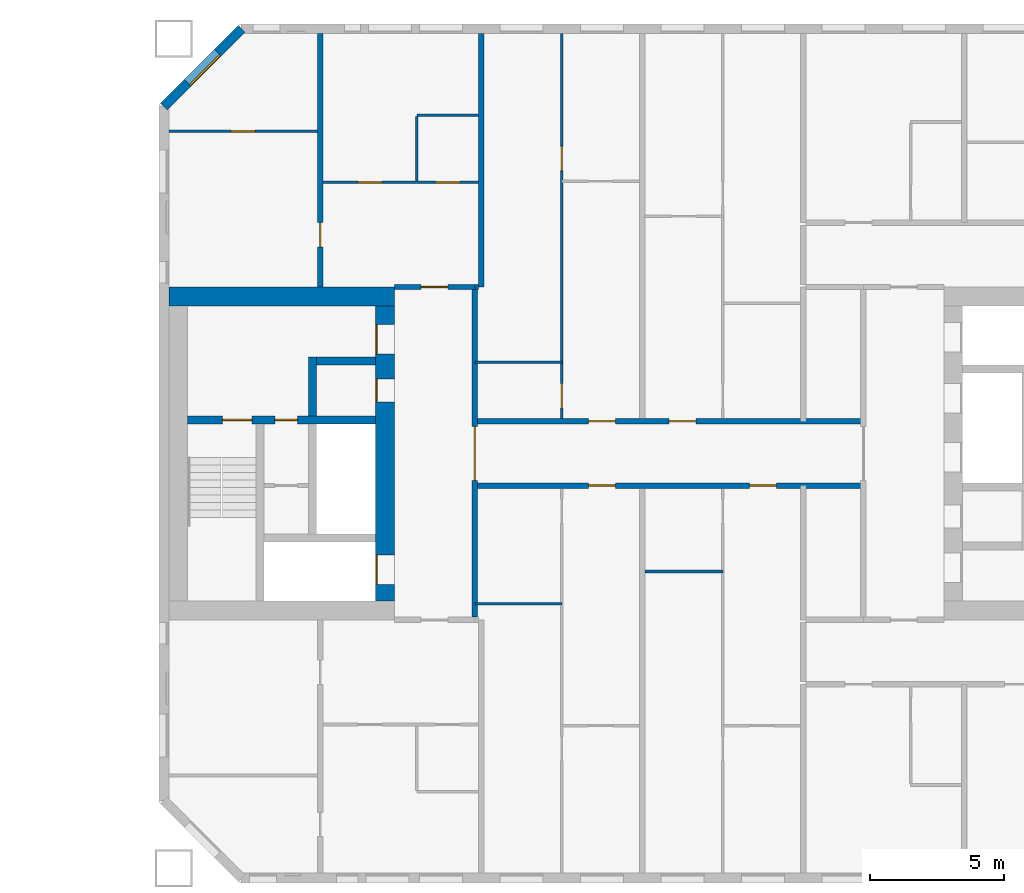
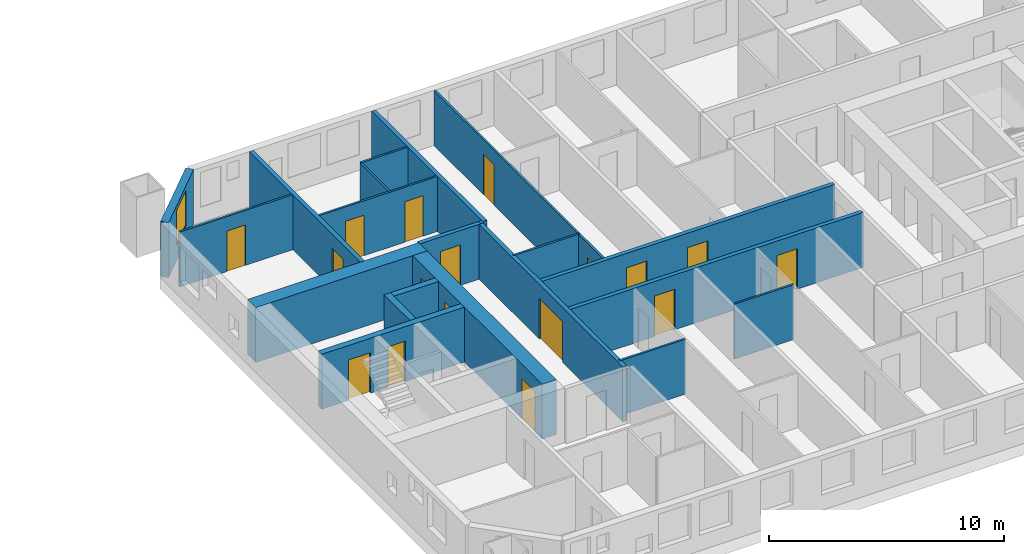
# One storey, part 10 of 17: 21 walls, 17 doors, 1 window, 18 openings.
"""IFC4 building model written with IfcOpenShell, lengths in metres."""

from ifc_helpers import new_model, si_unit, direction, frame, frame_2d, origin, place, context, subcontext, project, spatial, rectangle, extrude, material, layer, layer_set, type_object, element, fill, save


model = new_model("IFC4")

# Units and contexts
model_context = context("Model", 3, precision=1e-05, world=origin(), true_north=direction((0.0, 1.0)))
body_context = subcontext(model_context, "Body", "Model", "MODEL_VIEW")
ifc_project = project(units=[si_unit("LENGTHUNIT", "METRE"), si_unit("AREAUNIT", "SQUARE_METRE"), si_unit("VOLUMEUNIT", "CUBIC_METRE"), si_unit("PLANEANGLEUNIT", "RADIAN"), si_unit("MASSUNIT", "GRAM", prefix="KILO")], contexts=[model_context])

# Site, building, storey
site_placement = place(None, origin())
site = spatial("IfcSite", under=ifc_project, at=site_placement, CompositionType="ELEMENT")
building_placement = place(site_placement, origin())
building = spatial("IfcBuilding", under=site, at=building_placement, Name="Tuart Gate Housing", CompositionType="ELEMENT")
storey_placement = place(building_placement, frame((0.0, 0.0, 71.60009765625)))
storey = spatial("IfcBuildingStorey", under=building, at=storey_placement, Name="L19", CompositionType="ELEMENT", Elevation=71.60009765625)

# Wall, opening, window
ifc_material_1 = material(Name="Brick", Category="masonry")
ifc_layer_1 = layer(ifc_material_1, 0.360107421875)
ifc_layer_set_1 = layer_set([ifc_layer_1], Name="Brick pier and spandrel wall 360")
wall_type_1 = type_object("IfcWallType", Name="Brick pier and spandrel wall 360", PredefinedType="STANDARD", material=ifc_layer_set_1)
wall_1_placement = place(storey_placement, frame((134.07470703125, 85.820068359375, 0.0), z_axis=(0.0, 0.0, 1.0), x_axis=(-0.707106781187, -0.707106781187, 0.0)))
wall_1 = element("IfcWall", 1, at=wall_1_placement, inside=storey, type_object=wall_type_1, Name="External wall B-NW L19", PredefinedType="STANDARD", context=body_context, shape_type="SweptSolid", body=[
    extrude(rectangle(XDim=4.09375, YDim=0.360107421875, at=frame_2d((2.046875, 0.0))), origin(), (0.0, 0.0, 1.0), 2.849853515625),
])
opening_1_placement = place(wall_1_placement, frame((1.2470703125, 0.0, 0.800048828125)))
opening_1 = element("IfcOpeningElement", 2, at=opening_1_placement, cuts=wall_1, Name="Opening W1", PredefinedType="OPENING", context=body_context, shape_type="SweptSolid", body=[
    extrude(rectangle(XDim=1.60009765625, YDim=1.800048828125, at=frame_2d((0.800048828125, 0.89990234375))), frame((0.0, 0.18994140625, 0.0), z_axis=(0.0, -1.0, 0.0), x_axis=(1.0, 0.0, 0.0)), (0.0, 0.0, 1.0), 0.380126953125),
])
ifc_material_2 = material(Name="Aluminium frame with clear glass", Category="aluminium")
window_type = type_object("IfcWindowType", Name="Punched window 1600 x 1800", PartitioningType="SINGLE_PANEL", PredefinedType="WINDOW", material=ifc_material_2)
window_placement = place(opening_1_placement, origin())
window = element("IfcWindow", 3, at=window_placement, inside=storey, type_object=window_type, Name="Window W1", OverallHeight=1.800048828125, OverallWidth=1.60009765625, PartitioningType="SINGLE_PANEL", PredefinedType="WINDOW", context=body_context, shape_type="SweptSolid", body=[
    extrude(rectangle(XDim=1.60009765625, YDim=1.800048828125, at=frame_2d((0.800048828125, 0.89990234375))), frame((0.0, 0.150146484375, 0.0), z_axis=(0.0, -1.0, 0.0), x_axis=(1.0, 0.0, 0.0)), (0.0, 0.0, 1.0), 0.06005859375),
])
fill(opening_1, window)

# Wall, openings, doors
ifc_material_3 = material(Name="Concrete C50", Category="concrete")
ifc_layer_2 = layer(ifc_material_3, 0.300048828125)
ifc_layer_set_2 = layer_set([ifc_layer_2], Name="Core wall 300 C50")
wall_type_2 = type_object("IfcWallType", Name="Core wall 300 C50", PredefinedType="SHEAR", material=ifc_layer_set_2)
wall_2_placement = place(storey_placement, frame((139.06005859375, 71.25, 0.0), z_axis=(0.0, 0.0, 1.0), x_axis=(-1.0, 0.0, 0.0)))
wall_2 = element("IfcWall", 4, at=wall_2_placement, inside=storey, type_object=wall_type_2, Name="Core wall BG.3", PredefinedType="SHEAR", context=body_context, shape_type="SweptSolid", body=[
    extrude(rectangle(XDim=7.0, YDim=0.300048828125, at=frame_2d((3.5, 0.0))), origin(), (0.0, 0.0, 1.0), 2.849853515625),
])
opening_2_placement = place(wall_2_placement, frame((4.60009765625, 0.0, 0.0)))
opening_2 = element("IfcOpeningElement", 5, at=opening_2_placement, cuts=wall_2, Name="Opening D916", PredefinedType="OPENING", context=body_context, shape_type="SweptSolid", body=[
    extrude(rectangle(XDim=1.10009765625, YDim=2.10009765625, at=frame_2d((0.550048828125, 1.050048828125))), frame((0.0, 0.159912109375, 0.0), z_axis=(0.0, -1.0, 0.0), x_axis=(1.0, 0.0, 0.0)), (0.0, 0.0, 1.0), 0.320068359375),
])
opening_3_placement = place(wall_2_placement, frame((2.89990234375, 0.0, 0.0)))
opening_3 = element("IfcOpeningElement", 6, at=opening_3_placement, cuts=wall_2, Name="Opening D915", PredefinedType="OPENING", context=body_context, shape_type="SweptSolid", body=[
    extrude(rectangle(XDim=0.85009765625, YDim=2.10009765625, at=frame_2d((0.425048828125, 1.050048828125))), frame((0.0, 0.159912109375, 0.0), z_axis=(0.0, -1.0, 0.0), x_axis=(1.0, 0.0, 0.0)), (0.0, 0.0, 1.0), 0.320068359375),
])
ifc_material_4 = material(Name="Steel fire door", Category="steel")
door_type_1 = type_object("IfcDoorType", Name="Riser door 850 x 2100", OperationType="SINGLE_SWING_LEFT", PredefinedType="DOOR", material=ifc_material_4)
door_1_placement = place(opening_3_placement, origin())
door_1 = element("IfcDoor", 7, at=door_1_placement, inside=storey, type_object=door_type_1, Name="Service room door BG.W1", OperationType="SINGLE_SWING_LEFT", OverallHeight=2.10009765625, OverallWidth=0.85009765625, PredefinedType="DOOR", context=body_context, shape_type="SweptSolid", body=[
    extrude(rectangle(XDim=0.85009765625, YDim=2.10009765625, at=frame_2d((0.425048828125, 1.050048828125))), frame((0.0, 0.02490234375, 0.0), z_axis=(0.0, -1.0, 0.0), x_axis=(1.0, 0.0, 0.0)), (0.0, 0.0, 1.0), 0.050048828125),
])
fill(opening_3, door_1)
ifc_material_5 = material(Name="Steel fire door", Category="steel")
door_type_2 = type_object("IfcDoorType", Name="Stair door 1100 x 2100", OperationType="SINGLE_SWING_LEFT", PredefinedType="DOOR", material=ifc_material_5)
door_2_placement = place(opening_2_placement, origin())
door_2 = element("IfcDoor", 8, at=door_2_placement, inside=storey, type_object=door_type_2, Name="Stair door BG.SD", OperationType="SINGLE_SWING_LEFT", OverallHeight=2.10009765625, OverallWidth=1.10009765625, PredefinedType="DOOR", context=body_context, shape_type="SweptSolid", body=[
    extrude(rectangle(XDim=1.10009765625, YDim=2.10009765625, at=frame_2d((0.550048828125, 1.050048828125))), frame((0.0, 0.02490234375, 0.0), z_axis=(0.0, -1.0, 0.0), x_axis=(1.0, 0.0, 0.0)), (0.0, 0.0, 1.0), 0.050048828125),
])
fill(opening_2, door_2)

# Walls
wall_3_placement = place(storey_placement, frame((139.06005859375, 73.449951171875, 0.0), z_axis=(0.0, 0.0, 1.0), x_axis=(-1.0, 0.0, 0.0)))
element("IfcWall", 9, at=wall_3_placement, inside=storey, type_object=wall_type_2, Name="Core wall BG.4", PredefinedType="SHEAR", context=body_context, shape_type="SweptSolid", body=[
    extrude(rectangle(XDim=2.199951171875, YDim=0.300048828125, at=frame_2d((1.10009765625, 0.0))), origin(), (0.0, 0.0, 1.0), 2.849853515625),
])
wall_4_placement = place(storey_placement, frame((136.7099609375, 71.39990234375, 0.0), z_axis=(0.0, 0.0, 1.0), x_axis=(0.0, 1.0, 0.0)))
element("IfcWall", 10, at=wall_4_placement, inside=storey, type_object=wall_type_2, Name="Core wall BG.6", PredefinedType="SHEAR", context=body_context, shape_type="SweptSolid", body=[
    extrude(rectangle(XDim=2.2001953125, YDim=0.300048828125, at=frame_2d((1.10009765625, 0.0))), origin(), (0.0, 0.0, 1.0), 2.849853515625),
])

# Wall, openings, doors
ifc_material_6 = material(Name="Concrete C50", Category="concrete")
ifc_layer_3 = layer(ifc_material_6, 0.699951171875)
ifc_layer_set_3 = layer_set([ifc_layer_3], Name="Core wall 700 C50")
wall_type_3 = type_object("IfcWallType", Name="Core wall 700 C50", PredefinedType="SHEAR", material=ifc_layer_set_3)
wall_5_placement = place(storey_placement, frame((139.409912109375, 64.5, 0.0), z_axis=(0.0, 0.0, 1.0), x_axis=(0.0, 1.0, 0.0)))
wall_5 = element("IfcWall", 11, at=wall_5_placement, inside=storey, type_object=wall_type_3, Name="Core wall BG front", PredefinedType="SHEAR", context=body_context, shape_type="SweptSolid", body=[
    extrude(rectangle(XDim=11.0, YDim=0.699951171875, at=frame_2d((5.5, 0.0))), origin(), (0.0, 0.0, 1.0), 2.849853515625),
])
opening_4_placement = place(wall_5_placement, frame((0.625, 0.0, 0.0)))
opening_4 = element("IfcOpeningElement", 12, at=opening_4_placement, cuts=wall_5, Name="Opening LD-FB1", PredefinedType="OPENING", context=body_context, shape_type="SweptSolid", body=[
    extrude(rectangle(XDim=1.10009765625, YDim=2.10009765625, at=frame_2d((0.550048828125, 1.050048828125))), frame((0.0, 0.35986328125, 0.0), z_axis=(0.0, -1.0, 0.0), x_axis=(1.0, 0.0, 0.0)), (0.0, 0.0, 1.0), 0.719970703125),
])
opening_5_placement = place(wall_5_placement, frame((9.199951171875, 0.0, 0.0)))
opening_5 = element("IfcOpeningElement", 13, at=opening_5_placement, cuts=wall_5, Name="Opening D919", PredefinedType="OPENING", context=body_context, shape_type="SweptSolid", body=[
    extrude(rectangle(XDim=1.10009765625, YDim=2.10009765625, at=frame_2d((0.550048828125, 1.050048828125))), frame((0.0, 0.35986328125, 0.0), z_axis=(0.0, -1.0, 0.0), x_axis=(1.0, 0.0, 0.0)), (0.0, 0.0, 1.0), 0.719970703125),
])
opening_6_placement = place(wall_5_placement, frame((7.425048828125, 0.0, 0.0)))
opening_6 = element("IfcOpeningElement", 14, at=opening_6_placement, cuts=wall_5, Name="Opening D920", PredefinedType="OPENING", context=body_context, shape_type="SweptSolid", body=[
    extrude(rectangle(XDim=0.85009765625, YDim=2.10009765625, at=frame_2d((0.425048828125, 1.050048828125))), frame((0.0, 0.35986328125, 0.0), z_axis=(0.0, -1.0, 0.0), x_axis=(1.0, 0.0, 0.0)), (0.0, 0.0, 1.0), 0.719970703125),
])
ifc_material_7 = material(Name="Stainless steel", Category="steel")
door_type_3 = type_object("IfcDoorType", Name="Landing door 1100 x 2100", OperationType="DOUBLE_DOOR_SLIDING", PredefinedType="DOOR", material=ifc_material_7)
door_3_placement = place(opening_4_placement, origin())
door_3 = element("IfcDoor", 15, at=door_3_placement, inside=storey, type_object=door_type_3, Name="Lift landing door FB1", OperationType="DOUBLE_DOOR_SLIDING", OverallHeight=2.10009765625, OverallWidth=1.10009765625, PredefinedType="DOOR", context=body_context, shape_type="SweptSolid", body=[
    extrude(rectangle(XDim=1.10009765625, YDim=2.10009765625, at=frame_2d((0.550048828125, 1.050048828125))), frame((0.0, 0.3349609375, 0.0), z_axis=(0.0, -1.0, 0.0), x_axis=(1.0, 0.0, 0.0)), (0.0, 0.0, 1.0), 0.050048828125),
])
fill(opening_4, door_3)
ifc_material_8 = material(Name="Steel fire door", Category="steel")
door_type_4 = type_object("IfcDoorType", Name="Lobby door 1100 x 2100", OperationType="SINGLE_SWING_LEFT", PredefinedType="DOOR", material=ifc_material_8)
door_4_placement = place(opening_5_placement, origin())
door_4 = element("IfcDoor", 16, at=door_4_placement, inside=storey, type_object=door_type_4, Name="Lobby entry door BG.EN", OperationType="SINGLE_SWING_LEFT", OverallHeight=2.10009765625, OverallWidth=1.10009765625, PredefinedType="DOOR", context=body_context, shape_type="SweptSolid", body=[
    extrude(rectangle(XDim=1.10009765625, YDim=2.10009765625, at=frame_2d((0.550048828125, 1.050048828125))), frame((0.0, 0.3349609375, 0.0), z_axis=(0.0, -1.0, 0.0), x_axis=(1.0, 0.0, 0.0)), (0.0, 0.0, 1.0), 0.050048828125),
])
fill(opening_5, door_4)
ifc_material_9 = material(Name="Steel fire door", Category="steel")
door_type_5 = type_object("IfcDoorType", Name="Service door 850 x 2100", OperationType="SINGLE_SWING_LEFT", PredefinedType="DOOR", material=ifc_material_9)
door_5_placement = place(opening_6_placement, origin())
door_5 = element("IfcDoor", 17, at=door_5_placement, inside=storey, type_object=door_type_5, Name="Service room door BG.T1", OperationType="SINGLE_SWING_LEFT", OverallHeight=2.10009765625, OverallWidth=0.85009765625, PredefinedType="DOOR", context=body_context, shape_type="SweptSolid", body=[
    extrude(rectangle(XDim=0.85009765625, YDim=2.10009765625, at=frame_2d((0.425048828125, 1.050048828125))), frame((0.0, 0.3349609375, 0.0), z_axis=(0.0, -1.0, 0.0), x_axis=(1.0, 0.0, 0.0)), (0.0, 0.0, 1.0), 0.050048828125),
])
fill(opening_6, door_5)

# Wall
wall_6_placement = place(storey_placement, frame((139.760009765625, 75.85009765625, 0.0), z_axis=(0.0, 0.0, 1.0), x_axis=(-1.0, 0.0, 0.0)))
element("IfcWall", 18, at=wall_6_placement, inside=storey, type_object=wall_type_3, Name="Core wall BG north", PredefinedType="SHEAR", context=body_context, shape_type="SweptSolid", body=[
    extrude(rectangle(XDim=8.39990234375, YDim=0.699951171875, at=frame_2d((4.199951171875, 0.0))), origin(), (0.0, 0.0, 1.0), 2.849853515625),
])

# Wall, openings, doors
ifc_material_10 = material(Name="Concrete masonry 15 MPa", Category="masonry")
ifc_layer_4 = layer(ifc_material_10, 0.199951171875)
ifc_layer_set_4 = layer_set([ifc_layer_4], Name="Corridor wall masonry 200")
wall_type_4 = type_object("IfcWallType", Name="Corridor wall masonry 200", PredefinedType="PARTITIONING", material=ifc_layer_set_4)
wall_7_placement = place(storey_placement, frame((142.760009765625, 68.800048828125, 0.0), z_axis=(0.0, 0.0, 1.0), x_axis=(1.0, 0.0, 0.0)))
wall_7 = element("IfcWall", 19, at=wall_7_placement, inside=storey, type_object=wall_type_4, Name="Corridor wall masonry 200", PredefinedType="PARTITIONING", context=body_context, shape_type="SweptSolid", body=[
    extrude(rectangle(XDim=14.47998046875, YDim=0.199951171875, at=frame_2d((7.239990234375, 0.0))), origin(), (0.0, 0.0, 1.0), 2.849853515625),
])
opening_7_placement = place(wall_7_placement, frame((4.239990234375, 0.0, 0.0)))
opening_7 = element("IfcOpeningElement", 20, at=opening_7_placement, cuts=wall_7, Name="Opening D928", PredefinedType="OPENING", context=body_context, shape_type="SweptSolid", body=[
    extrude(rectangle(XDim=1.0, YDim=2.10009765625, at=frame_2d((0.5, 1.050048828125))), frame((0.0, 0.10986328125, 0.0), z_axis=(0.0, -1.0, 0.0), x_axis=(1.0, 0.0, 0.0)), (0.0, 0.0, 1.0), 0.219970703125),
])
opening_8_placement = place(wall_7_placement, frame((10.239990234375, 0.0, 0.0)))
opening_8 = element("IfcOpeningElement", 21, at=opening_8_placement, cuts=wall_7, Name="Opening D929", PredefinedType="OPENING", context=body_context, shape_type="SweptSolid", body=[
    extrude(rectangle(XDim=1.0, YDim=2.10009765625, at=frame_2d((0.5, 1.050048828125))), frame((0.0, 0.10986328125, 0.0), z_axis=(0.0, -1.0, 0.0), x_axis=(1.0, 0.0, 0.0)), (0.0, 0.0, 1.0), 0.219970703125),
])
ifc_material_11 = material(Name="Timber door leaf in steel frame", Category="steel")
door_type_6 = type_object("IfcDoorType", Name="Flat entrance door 1000 RH", OperationType="SINGLE_SWING_RIGHT", PredefinedType="DOOR", material=ifc_material_11)
door_6_placement = place(opening_7_placement, frame((1.0, 0.0, 0.0), z_axis=(0.0, 0.0, 1.0), x_axis=(-1.0, 0.0, 0.0)))
door_6 = element("IfcDoor", 22, at=door_6_placement, inside=storey, type_object=door_type_6, Name="Flat entrance door", OperationType="SINGLE_SWING_RIGHT", OverallHeight=2.10009765625, OverallWidth=1.0, PredefinedType="DOOR", context=body_context, shape_type="SweptSolid", body=[
    extrude(rectangle(XDim=1.0, YDim=2.10009765625, at=frame_2d((0.5, 1.050048828125))), frame((0.0, 0.025146484375, 0.0), z_axis=(0.0, -1.0, 0.0), x_axis=(1.0, 0.0, 0.0)), (0.0, 0.0, 1.0), 0.050048828125),
])
fill(opening_7, door_6)
door_7_placement = place(opening_8_placement, frame((1.0, 0.0, 0.0), z_axis=(0.0, 0.0, 1.0), x_axis=(-1.0, 0.0, 0.0)))
door_7 = element("IfcDoor", 23, at=door_7_placement, inside=storey, type_object=door_type_6, Name="Flat entrance door", OperationType="SINGLE_SWING_RIGHT", OverallHeight=2.10009765625, OverallWidth=1.0, PredefinedType="DOOR", context=body_context, shape_type="SweptSolid", body=[
    extrude(rectangle(XDim=1.0, YDim=2.10009765625, at=frame_2d((0.5, 1.050048828125))), frame((0.0, 0.025146484375, 0.0), z_axis=(0.0, -1.0, 0.0), x_axis=(1.0, 0.0, 0.0)), (0.0, 0.0, 1.0), 0.050048828125),
])
fill(opening_8, door_7)

wall_8_placement = place(storey_placement, frame((142.760009765625, 71.199951171875, 0.0), z_axis=(0.0, 0.0, 1.0), x_axis=(1.0, 0.0, 0.0)))
wall_8 = element("IfcWall", 24, at=wall_8_placement, inside=storey, type_object=wall_type_4, Name="Corridor wall masonry 200", PredefinedType="PARTITIONING", context=body_context, shape_type="SweptSolid", body=[
    extrude(rectangle(XDim=14.47998046875, YDim=0.199951171875, at=frame_2d((7.239990234375, 0.0))), origin(), (0.0, 0.0, 1.0), 2.849853515625),
])
opening_9_placement = place(wall_8_placement, frame((4.239990234375, 0.0, 0.0)))
opening_9 = element("IfcOpeningElement", 25, at=opening_9_placement, cuts=wall_8, Name="Opening D917", PredefinedType="OPENING", context=body_context, shape_type="SweptSolid", body=[
    extrude(rectangle(XDim=1.0, YDim=2.10009765625, at=frame_2d((0.5, 1.050048828125))), frame((0.0, 0.10986328125, 0.0), z_axis=(0.0, -1.0, 0.0), x_axis=(1.0, 0.0, 0.0)), (0.0, 0.0, 1.0), 0.219970703125),
])
opening_10_placement = place(wall_8_placement, frame((7.239990234375, 0.0, 0.0)))
opening_10 = element("IfcOpeningElement", 26, at=opening_10_placement, cuts=wall_8, Name="Opening D918", PredefinedType="OPENING", context=body_context, shape_type="SweptSolid", body=[
    extrude(rectangle(XDim=1.0, YDim=2.10009765625, at=frame_2d((0.5, 1.050048828125))), frame((0.0, 0.10986328125, 0.0), z_axis=(0.0, -1.0, 0.0), x_axis=(1.0, 0.0, 0.0)), (0.0, 0.0, 1.0), 0.219970703125),
])
ifc_material_12 = material(Name="Timber door leaf in steel frame", Category="steel")
door_type_7 = type_object("IfcDoorType", Name="Flat entrance door 1000", OperationType="SINGLE_SWING_LEFT", PredefinedType="DOOR", material=ifc_material_12)
door_8_placement = place(opening_9_placement, origin())
door_8 = element("IfcDoor", 27, at=door_8_placement, inside=storey, type_object=door_type_7, Name="Flat entrance door", OperationType="SINGLE_SWING_LEFT", OverallHeight=2.10009765625, OverallWidth=1.0, PredefinedType="DOOR", context=body_context, shape_type="SweptSolid", body=[
    extrude(rectangle(XDim=1.0, YDim=2.10009765625, at=frame_2d((0.5, 1.050048828125))), frame((0.0, 0.02490234375, 0.0), z_axis=(0.0, -1.0, 0.0), x_axis=(1.0, 0.0, 0.0)), (0.0, 0.0, 1.0), 0.050048828125),
])
fill(opening_9, door_8)
door_9_placement = place(opening_10_placement, origin())
door_9 = element("IfcDoor", 28, at=door_9_placement, inside=storey, type_object=door_type_7, Name="Flat entrance door", OperationType="SINGLE_SWING_LEFT", OverallHeight=2.10009765625, OverallWidth=1.0, PredefinedType="DOOR", context=body_context, shape_type="SweptSolid", body=[
    extrude(rectangle(XDim=1.0, YDim=2.10009765625, at=frame_2d((0.5, 1.050048828125))), frame((0.0, 0.02490234375, 0.0), z_axis=(0.0, -1.0, 0.0), x_axis=(1.0, 0.0, 0.0)), (0.0, 0.0, 1.0), 0.050048828125),
])
fill(opening_10, door_9)

# Wall, opening, door
ifc_material_13 = material(Name="Concrete masonry 15 MPa", Category="masonry")
ifc_layer_5 = layer(ifc_material_13, 0.199951171875)
ifc_layer_set_5 = layer_set([ifc_layer_5], Name="Enclosure wall masonry 200")
wall_type_5 = type_object("IfcWallType", Name="Enclosure wall masonry 200", PredefinedType="PARTITIONING", material=ifc_layer_set_5)
wall_9_placement = place(storey_placement, frame((139.760009765625, 76.199951171875, 0.0), z_axis=(0.0, 0.0, 1.0), x_axis=(1.0, 0.0, 0.0)))
wall_9 = element("IfcWall", 29, at=wall_9_placement, inside=storey, type_object=wall_type_5, Name="Enclosure wall masonry 200", PredefinedType="PARTITIONING", context=body_context, shape_type="SweptSolid", body=[
    extrude(rectangle(XDim=3.0, YDim=0.199951171875, at=frame_2d((1.5, 0.0))), origin(), (0.0, 0.0, 1.0), 2.849853515625),
])
opening_11_placement = place(wall_9_placement, frame((1.0, 0.0, 0.0)))
opening_11 = element("IfcOpeningElement", 30, at=opening_11_placement, cuts=wall_9, Name="Opening D913", PredefinedType="OPENING", context=body_context, shape_type="SweptSolid", body=[
    extrude(rectangle(XDim=1.0, YDim=2.10009765625, at=frame_2d((0.5, 1.050048828125))), frame((0.0, 0.10986328125, 0.0), z_axis=(0.0, -1.0, 0.0), x_axis=(1.0, 0.0, 0.0)), (0.0, 0.0, 1.0), 0.219970703125),
])
door_10_placement = place(opening_11_placement, origin())
door_10 = element("IfcDoor", 31, at=door_10_placement, inside=storey, type_object=door_type_6, Name="Flat entrance door", OperationType="SINGLE_SWING_RIGHT", OverallHeight=2.10009765625, OverallWidth=1.0, PredefinedType="DOOR", context=body_context, shape_type="SweptSolid", body=[
    extrude(rectangle(XDim=1.0, YDim=2.10009765625, at=frame_2d((0.5, 1.050048828125))), frame((0.0, 0.02490234375, 0.0), z_axis=(0.0, -1.0, 0.0), x_axis=(1.0, 0.0, 0.0)), (0.0, 0.0, 1.0), 0.050048828125),
])
fill(opening_11, door_10)

ifc_material_14 = material(Name="Plasterboard partition")
ifc_layer_6 = layer(ifc_material_14, 0.199951171875)
ifc_layer_set_6 = layer_set([ifc_layer_6], Name="Lobby wall 200")
wall_type_6 = type_object("IfcWallType", Name="Lobby wall 200", PredefinedType="PARTITIONING", material=ifc_layer_set_6)
wall_10_placement = place(storey_placement, frame((142.760009765625, 63.89990234375, 0.0), z_axis=(0.0, 0.0, 1.0), x_axis=(0.0, 1.0, 0.0)))
wall_10 = element("IfcWall", 32, at=wall_10_placement, inside=storey, type_object=wall_type_6, Name="Lift lobby wall BG", PredefinedType="PARTITIONING", context=body_context, shape_type="SweptSolid", body=[
    extrude(rectangle(XDim=12.2001953125, YDim=0.199951171875, at=frame_2d((6.10009765625, 0.0))), origin(), (0.0, 0.0, 1.0), 2.849853515625),
])
opening_12_placement = place(wall_10_placement, frame((5.10009765625, 0.0, 0.0)))
opening_12 = element("IfcOpeningElement", 33, at=opening_12_placement, cuts=wall_10, Name="Opening D921", PredefinedType="OPENING", context=body_context, shape_type="SweptSolid", body=[
    extrude(rectangle(XDim=2.0, YDim=2.10009765625, at=frame_2d((1.0, 1.050048828125))), frame((0.0, 0.10986328125, 0.0), z_axis=(0.0, -1.0, 0.0), x_axis=(1.0, 0.0, 0.0)), (0.0, 0.0, 1.0), 0.219970703125),
])
ifc_material_15 = material(Name="Steel fire door", Category="steel")
door_type_8 = type_object("IfcDoorType", Name="Smoke door 2000 x 2100", OperationType="DOUBLE_DOOR_SINGLE_SWING", PredefinedType="DOOR", material=ifc_material_15)
door_11_placement = place(opening_12_placement, origin())
door_11 = element("IfcDoor", 34, at=door_11_placement, inside=storey, type_object=door_type_8, Name="Lift lobby smoke door BG", OperationType="DOUBLE_DOOR_SINGLE_SWING", OverallHeight=2.10009765625, OverallWidth=2.0, PredefinedType="DOOR", context=body_context, shape_type="SweptSolid", body=[
    extrude(rectangle(XDim=2.0, YDim=2.10009765625, at=frame_2d((1.0, 1.050048828125))), frame((0.0, 0.02490234375, 0.0), z_axis=(0.0, -1.0, 0.0), x_axis=(1.0, 0.0, 0.0)), (0.0, 0.0, 1.0), 0.050048828125),
])
fill(opening_12, door_11)

# Walls
ifc_material_16 = material(Name="Gypsum board on steel studs", Category="steel")
ifc_layer_7 = layer(ifc_material_16, 0.10009765625)
ifc_layer_set_7 = layer_set([ifc_layer_7], Name="Partition 100")
wall_type_7 = type_object("IfcWallType", Name="Partition 100", PredefinedType="PARTITIONING", material=ifc_layer_set_7)
wall_11_placement = place(storey_placement, frame((142.760009765625, 64.39990234375, 0.0), z_axis=(0.0, 0.0, 1.0), x_axis=(1.0, 0.0, 0.0)))
element("IfcWall", 35, at=wall_11_placement, inside=storey, type_object=wall_type_7, Name="Partition 100", PredefinedType="PARTITIONING", context=body_context, shape_type="SweptSolid", body=[
    extrude(rectangle(XDim=3.239990234375, YDim=0.10009765625, at=frame_2d((1.6201171875, 0.0))), origin(), (0.0, 0.0, 1.0), 2.849853515625),
])
wall_12_placement = place(storey_placement, frame((149.10009765625, 65.60009765625, 0.0), z_axis=(0.0, 0.0, 1.0), x_axis=(1.0, 0.0, 0.0)))
element("IfcWall", 36, at=wall_12_placement, inside=storey, type_object=wall_type_7, Name="Partition 100", PredefinedType="PARTITIONING", context=body_context, shape_type="SweptSolid", body=[
    extrude(rectangle(XDim=2.89990234375, YDim=0.10009765625, at=frame_2d((1.449951171875, 0.0))), origin(), (0.0, 0.0, 1.0), 2.849853515625),
])
wall_13_placement = place(storey_placement, frame((142.760009765625, 73.39990234375, 0.0), z_axis=(0.0, 0.0, 1.0), x_axis=(1.0, 0.0, 0.0)))
element("IfcWall", 37, at=wall_13_placement, inside=storey, type_object=wall_type_7, Name="Partition 100", PredefinedType="PARTITIONING", context=body_context, shape_type="SweptSolid", body=[
    extrude(rectangle(XDim=3.239990234375, YDim=0.10009765625, at=frame_2d((1.6201171875, 0.0))), origin(), (0.0, 0.0, 1.0), 2.849853515625),
])

# Wall, openings, doors
wall_14_placement = place(storey_placement, frame((137.10009765625, 80.10009765625, 0.0), z_axis=(0.0, 0.0, 1.0), x_axis=(1.0, 0.0, 0.0)))
wall_14 = element("IfcWall", 38, at=wall_14_placement, inside=storey, type_object=wall_type_7, Name="Partition 100", PredefinedType="PARTITIONING", context=body_context, shape_type="SweptSolid", body=[
    extrude(rectangle(XDim=5.7998046875, YDim=0.10009765625, at=frame_2d((2.89990234375, 0.0))), origin(), (0.0, 0.0, 1.0), 2.849853515625),
])
opening_13_placement = place(wall_14_placement, frame((1.300048828125, 0.0, 0.0)))
opening_13 = element("IfcOpeningElement", 39, at=opening_13_placement, cuts=wall_14, Name="Opening D904", PredefinedType="OPENING", context=body_context, shape_type="SweptSolid", body=[
    extrude(rectangle(XDim=0.89990234375, YDim=2.10009765625, at=frame_2d((0.449951171875, 1.050048828125))), frame((0.0, 0.06005859375, 0.0), z_axis=(0.0, -1.0, 0.0), x_axis=(1.0, 0.0, 0.0)), (0.0, 0.0, 1.0), 0.1201171875),
])
opening_14_placement = place(wall_14_placement, frame((4.199951171875, 0.0, 0.0)))
opening_14 = element("IfcOpeningElement", 40, at=opening_14_placement, cuts=wall_14, Name="Opening D903", PredefinedType="OPENING", context=body_context, shape_type="SweptSolid", body=[
    extrude(rectangle(XDim=0.89990234375, YDim=2.10009765625, at=frame_2d((0.449951171875, 1.050048828125))), frame((0.0, 0.06005859375, 0.0), z_axis=(0.0, -1.0, 0.0), x_axis=(1.0, 0.0, 0.0)), (0.0, 0.0, 1.0), 0.1201171875),
])
ifc_material_17 = material(Name="Timber door leaf in steel frame", Category="steel")
door_type_9 = type_object("IfcDoorType", Name="Bathroom door 900", OperationType="SINGLE_SWING_LEFT", PredefinedType="DOOR", material=ifc_material_17)
door_12_placement = place(opening_14_placement, origin())
door_12 = element("IfcDoor", 41, at=door_12_placement, inside=storey, type_object=door_type_9, Name="Bathroom door", OperationType="SINGLE_SWING_LEFT", OverallHeight=2.10009765625, OverallWidth=0.89990234375, PredefinedType="DOOR", context=body_context, shape_type="SweptSolid", body=[
    extrude(rectangle(XDim=0.89990234375, YDim=2.10009765625, at=frame_2d((0.449951171875, 1.050048828125))), frame((0.0, 0.02490234375, 0.0), z_axis=(0.0, -1.0, 0.0), x_axis=(1.0, 0.0, 0.0)), (0.0, 0.0, 1.0), 0.050048828125),
])
fill(opening_14, door_12)
ifc_material_18 = material(Name="Timber door leaf in steel frame", Category="steel")
door_type_10 = type_object("IfcDoorType", Name="Internal door 900 RH", OperationType="SINGLE_SWING_RIGHT", PredefinedType="DOOR", material=ifc_material_18)
door_13_placement = place(opening_13_placement, origin())
door_13 = element("IfcDoor", 42, at=door_13_placement, inside=storey, type_object=door_type_10, Name="Internal door", OperationType="SINGLE_SWING_RIGHT", OverallHeight=2.10009765625, OverallWidth=0.89990234375, PredefinedType="DOOR", context=body_context, shape_type="SweptSolid", body=[
    extrude(rectangle(XDim=0.89990234375, YDim=2.10009765625, at=frame_2d((0.449951171875, 1.050048828125))), frame((0.0, 0.02490234375, 0.0), z_axis=(0.0, -1.0, 0.0), x_axis=(1.0, 0.0, 0.0)), (0.0, 0.0, 1.0), 0.050048828125),
])
fill(opening_13, door_13)

# Wall, opening, door
wall_15_placement = place(storey_placement, frame((131.360107421875, 82.0, 0.0), z_axis=(0.0, 0.0, 1.0), x_axis=(1.0, 0.0, 0.0)))
wall_15 = element("IfcWall", 43, at=wall_15_placement, inside=storey, type_object=wall_type_7, Name="Partition 100", PredefinedType="PARTITIONING", context=body_context, shape_type="SweptSolid", body=[
    extrude(rectangle(XDim=5.539794921875, YDim=0.10009765625, at=frame_2d((2.77001953125, 0.0))), origin(), (0.0, 0.0, 1.0), 2.849853515625),
])
opening_15_placement = place(wall_15_placement, frame((2.320068359375, 0.0, 0.0)))
opening_15 = element("IfcOpeningElement", 44, at=opening_15_placement, cuts=wall_15, Name="Opening D897", PredefinedType="OPENING", context=body_context, shape_type="SweptSolid", body=[
    extrude(rectangle(XDim=0.89990234375, YDim=2.10009765625, at=frame_2d((0.449951171875, 1.050048828125))), frame((0.0, 0.06005859375, 0.0), z_axis=(0.0, -1.0, 0.0), x_axis=(1.0, 0.0, 0.0)), (0.0, 0.0, 1.0), 0.1201171875),
])
ifc_material_19 = material(Name="Timber door leaf in steel frame", Category="steel")
door_type_11 = type_object("IfcDoorType", Name="Internal door 900", OperationType="SINGLE_SWING_LEFT", PredefinedType="DOOR", material=ifc_material_19)
door_14_placement = place(opening_15_placement, origin())
door_14 = element("IfcDoor", 45, at=door_14_placement, inside=storey, type_object=door_type_11, Name="Internal door", OperationType="SINGLE_SWING_LEFT", OverallHeight=2.10009765625, OverallWidth=0.89990234375, PredefinedType="DOOR", context=body_context, shape_type="SweptSolid", body=[
    extrude(rectangle(XDim=0.89990234375, YDim=2.10009765625, at=frame_2d((0.449951171875, 1.050048828125))), frame((0.0, 0.02490234375, 0.0), z_axis=(0.0, -1.0, 0.0), x_axis=(1.0, 0.0, 0.0)), (0.0, 0.0, 1.0), 0.050048828125),
])
fill(opening_15, door_14)

# Walls
wall_16_placement = place(storey_placement, frame((140.60009765625, 82.60009765625, 0.0), z_axis=(0.0, 0.0, 1.0), x_axis=(1.0, 0.0, 0.0)))
element("IfcWall", 46, at=wall_16_placement, inside=storey, type_object=wall_type_7, Name="Partition 100", PredefinedType="PARTITIONING", context=body_context, shape_type="SweptSolid", body=[
    extrude(rectangle(XDim=2.2998046875, YDim=0.10009765625, at=frame_2d((1.14990234375, 0.0))), origin(), (0.0, 0.0, 1.0), 2.849853515625),
])
wall_17_placement = place(storey_placement, frame((140.60009765625, 80.14990234375, 0.0), z_axis=(0.0, 0.0, 1.0), x_axis=(0.0, 1.0, 0.0)))
element("IfcWall", 47, at=wall_17_placement, inside=storey, type_object=wall_type_7, Name="Partition 100", PredefinedType="PARTITIONING", context=body_context, shape_type="SweptSolid", body=[
    extrude(rectangle(XDim=2.400146484375, YDim=0.10009765625, at=frame_2d((1.2001953125, 0.0))), origin(), (0.0, 0.0, 1.0), 2.849853515625),
])

# Wall, openings, doors
wall_18_placement = place(storey_placement, frame((146.0, 71.300048828125, 0.0), z_axis=(0.0, 0.0, 1.0), x_axis=(0.0, 1.0, 0.0)))
wall_18 = element("IfcWall", 48, at=wall_18_placement, inside=storey, type_object=wall_type_7, Name="Partition 100", PredefinedType="PARTITIONING", context=body_context, shape_type="SweptSolid", body=[
    extrude(rectangle(XDim=14.33984375, YDim=0.10009765625, at=frame_2d((7.169921875, 0.0))), origin(), (0.0, 0.0, 1.0), 2.849853515625),
])
opening_16_placement = place(wall_18_placement, frame((9.239990234375, 0.0, 0.0)))
opening_16 = element("IfcOpeningElement", 49, at=opening_16_placement, cuts=wall_18, Name="Opening D910", PredefinedType="OPENING", context=body_context, shape_type="SweptSolid", body=[
    extrude(rectangle(XDim=0.89990234375, YDim=2.10009765625, at=frame_2d((0.449951171875, 1.050048828125))), frame((0.0, 0.06005859375, 0.0), z_axis=(0.0, -1.0, 0.0), x_axis=(1.0, 0.0, 0.0)), (0.0, 0.0, 1.0), 0.1201171875),
])
opening_17_placement = place(wall_18_placement, frame((0.39990234375, 0.0, 0.0)))
opening_17 = element("IfcOpeningElement", 50, at=opening_17_placement, cuts=wall_18, Name="Opening D909", PredefinedType="OPENING", context=body_context, shape_type="SweptSolid", body=[
    extrude(rectangle(XDim=0.89990234375, YDim=2.10009765625, at=frame_2d((0.449951171875, 1.050048828125))), frame((0.0, 0.06005859375, 0.0), z_axis=(0.0, -1.0, 0.0), x_axis=(1.0, 0.0, 0.0)), (0.0, 0.0, 1.0), 0.1201171875),
])
door_15_placement = place(opening_17_placement, origin())
door_15 = element("IfcDoor", 51, at=door_15_placement, inside=storey, type_object=door_type_9, Name="Bathroom door", OperationType="SINGLE_SWING_LEFT", OverallHeight=2.10009765625, OverallWidth=0.89990234375, PredefinedType="DOOR", context=body_context, shape_type="SweptSolid", body=[
    extrude(rectangle(XDim=0.89990234375, YDim=2.10009765625, at=frame_2d((0.449951171875, 1.050048828125))), frame((0.0, 0.02490234375, 0.0), z_axis=(0.0, -1.0, 0.0), x_axis=(1.0, 0.0, 0.0)), (0.0, 0.0, 1.0), 0.050048828125),
])
fill(opening_17, door_15)
door_16_placement = place(opening_16_placement, origin())
door_16 = element("IfcDoor", 52, at=door_16_placement, inside=storey, type_object=door_type_10, Name="Internal door", OperationType="SINGLE_SWING_RIGHT", OverallHeight=2.10009765625, OverallWidth=0.89990234375, PredefinedType="DOOR", context=body_context, shape_type="SweptSolid", body=[
    extrude(rectangle(XDim=0.89990234375, YDim=2.10009765625, at=frame_2d((0.449951171875, 1.050048828125))), frame((0.0, 0.02490234375, 0.0), z_axis=(0.0, -1.0, 0.0), x_axis=(1.0, 0.0, 0.0)), (0.0, 0.0, 1.0), 0.050048828125),
])
fill(opening_16, door_16)

# Wall, opening, door
ifc_material_20 = material(Name="Concrete C40", Category="concrete")
ifc_layer_8 = layer(ifc_material_20, 0.199951171875)
ifc_layer_set_8 = layer_set([ifc_layer_8], Name="Party wall concrete C40 200")
wall_type_8 = type_object("IfcWallType", Name="Party wall concrete C40 200", PredefinedType="SOLIDWALL", material=ifc_layer_set_8)
wall_19_placement = place(storey_placement, frame((137.0, 76.199951171875, 0.0), z_axis=(0.0, 0.0, 1.0), x_axis=(0.0, 1.0, 0.0)))
wall_19 = element("IfcWall", 53, at=wall_19_placement, inside=storey, type_object=wall_type_8, Name="Party wall concrete C40 200", PredefinedType="SOLIDWALL", context=body_context, shape_type="SweptSolid", body=[
    extrude(rectangle(XDim=9.43994140625, YDim=0.199951171875, at=frame_2d((4.719970703125, 0.0))), origin(), (0.0, 0.0, 1.0), 2.849853515625),
])
opening_18_placement = place(wall_19_placement, frame((1.5, 0.0, 0.0)))
opening_18 = element("IfcOpeningElement", 54, at=opening_18_placement, cuts=wall_19, Name="Opening D898", PredefinedType="OPENING", context=body_context, shape_type="SweptSolid", body=[
    extrude(rectangle(XDim=0.89990234375, YDim=2.10009765625, at=frame_2d((0.449951171875, 1.050048828125))), frame((0.0, 0.10986328125, 0.0), z_axis=(0.0, -1.0, 0.0), x_axis=(1.0, 0.0, 0.0)), (0.0, 0.0, 1.0), 0.219970703125),
])
door_17_placement = place(opening_18_placement, frame((0.89990234375, 0.0, 0.0), z_axis=(0.0, 0.0, 1.0), x_axis=(-1.0, 0.0, 0.0)))
door_17 = element("IfcDoor", 55, at=door_17_placement, inside=storey, type_object=door_type_10, Name="Internal door", OperationType="SINGLE_SWING_RIGHT", OverallHeight=2.10009765625, OverallWidth=0.89990234375, PredefinedType="DOOR", context=body_context, shape_type="SweptSolid", body=[
    extrude(rectangle(XDim=0.89990234375, YDim=2.10009765625, at=frame_2d((0.449951171875, 1.050048828125))), frame((0.0, 0.025146484375, 0.0), z_axis=(0.0, -1.0, 0.0), x_axis=(1.0, 0.0, 0.0)), (0.0, 0.0, 1.0), 0.050048828125),
])
fill(opening_18, door_17)

# Walls
wall_20_placement = place(storey_placement, frame((143.0, 76.199951171875, 0.0), z_axis=(0.0, 0.0, 1.0), x_axis=(0.0, 1.0, 0.0)))
element("IfcWall", 56, at=wall_20_placement, inside=storey, type_object=wall_type_8, Name="Party wall concrete C40 200", PredefinedType="SOLIDWALL", context=body_context, shape_type="SweptSolid", body=[
    extrude(rectangle(XDim=9.43994140625, YDim=0.199951171875, at=frame_2d((4.719970703125, 0.0))), origin(), (0.0, 0.0, 1.0), 2.849853515625),
])
ifc_material_21 = material(Name="Concrete masonry 15 MPa", Category="masonry")
ifc_layer_9 = layer(ifc_material_21, 0.199951171875)
ifc_layer_set_9 = layer_set([ifc_layer_9], Name="Party wall masonry 200")
wall_type_9 = type_object("IfcWallType", Name="Party wall masonry 200", PredefinedType="PARTITIONING", material=ifc_layer_set_9)
wall_21_placement = place(storey_placement, frame((142.760009765625, 76.199951171875, 0.0), z_axis=(0.0, 0.0, 1.0), x_axis=(1.0, 0.0, 0.0)))
element("IfcWall", 57, at=wall_21_placement, inside=storey, type_object=wall_type_9, Name="Party wall masonry 200", PredefinedType="PARTITIONING", context=body_context, shape_type="SweptSolid", body=[
    extrude(rectangle(XDim=0.139892578125, YDim=0.199951171875, at=frame_2d((0.06982421875, 0.0))), origin(), (0.0, 0.0, 1.0), 2.849853515625),
])

save(model, "model.ifc")
